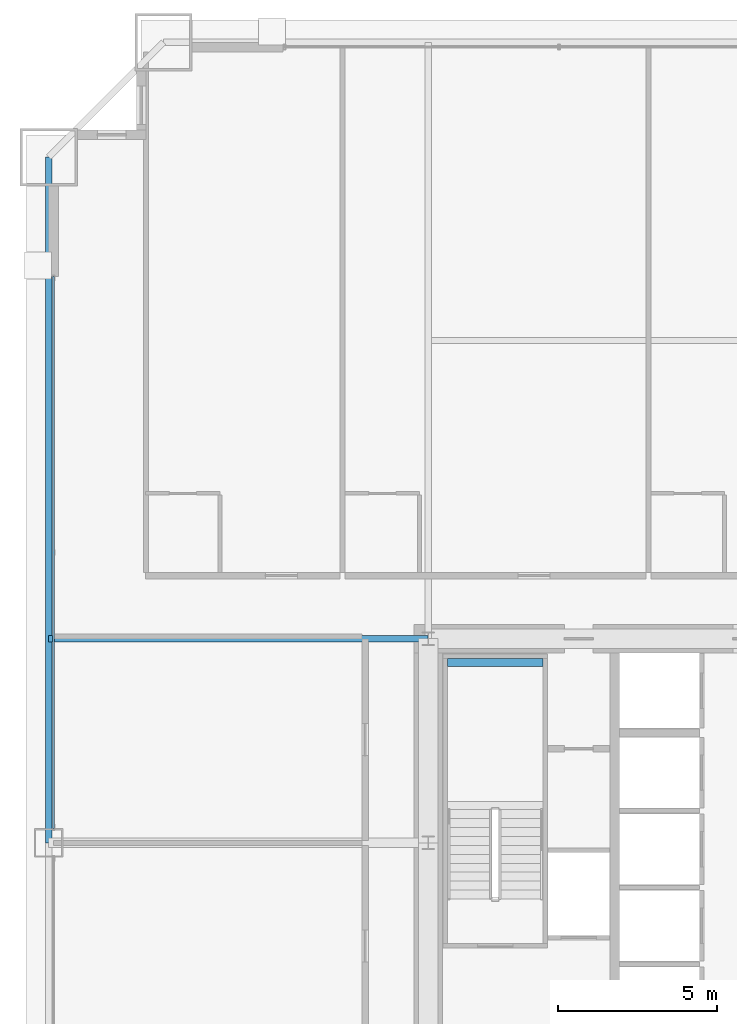
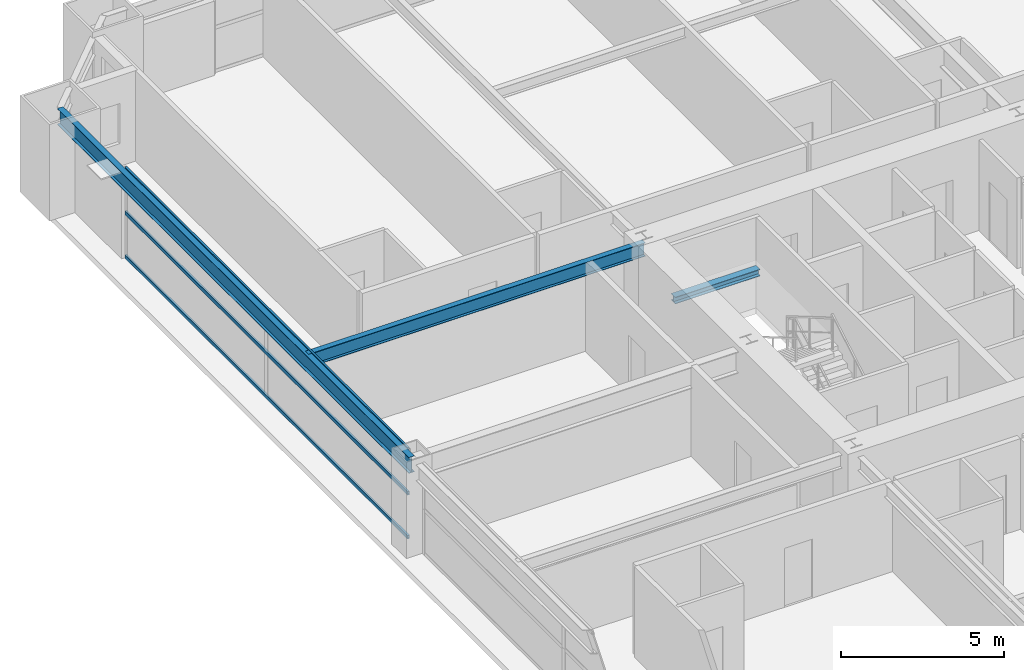
# One storey, part 22 of 43: 3 beams, 3 members, 1 element without a shape of its own.
"""IFC4 building model written with IfcOpenShell, lengths in metres."""

import ifcopenshell
import ifcopenshell.guid

model = None  # the IFC model being written
_history = None  # IfcOwnerHistory: only IFC2X3 demands one
_inside = {}  # id of a spatial element -> (the spatial element, [elements in it])
_under = {}  # id of a project, library or spatial element -> (it, [spatial elements below it])
_declared = {}  # id of a project -> (the project, [libraries it declares])
_typed = {}  # id of a type object -> (the type object, [elements of that type])
_made_of = {}  # id of a material, layer set ... -> (it, [elements and type objects made of it])


def new_model(schema):
    """Start an empty IFC model of exactly this schema.

    Asked for "IFC4X3", IfcOpenShell would pick the latest addendum, in which some entities
    have other attributes; the version numbers below select the first issue.
    IFC2X3 requires an IfcOwnerHistory on every rooted entity: one is made here for all.
    """
    global model, _history
    if schema == "IFC4X3":
        model = ifcopenshell.file(schema_version=(4, 3, 0, 0))
    else:
        model = ifcopenshell.file(schema=schema)
    _inside.clear()
    _under.clear()
    _declared.clear()
    _typed.clear()
    _made_of.clear()
    _history = None
    if model.schema == "IFC2X3":
        org = make("IfcOrganization", Name="unknown")
        user = make(
            "IfcPersonAndOrganization",
            ThePerson=make("IfcPerson", FamilyName="unknown"),
            TheOrganization=org,
        )
        app = make(
            "IfcApplication",
            ApplicationDeveloper=org,
            Version="unknown",
            ApplicationFullName="unknown",
            ApplicationIdentifier="unknown",
        )
        _history = make(
            "IfcOwnerHistory",
            OwningUser=user,
            OwningApplication=app,
            ChangeAction="ADDED",
            CreationDate=0,
        )
    return model


def make(cls, **values):
    """One entity of the class cls with the attributes given. An attribute that is None is left unset."""
    return model.create_entity(
        cls, **{name: value for name, value in values.items() if value is not None}
    )


def rooted(cls, **values):
    """An entity with a GlobalId (a new one), such as an element, a storey or a relation."""
    return make(cls, GlobalId=ifcopenshell.guid.new(), OwnerHistory=_history, **values)


def si_unit(unit_type, name, prefix=None):
    """IfcSIUnit, for example si_unit("LENGTHUNIT", "METRE", prefix="MILLI")."""
    return make("IfcSIUnit", UnitType=unit_type, Prefix=prefix, Name=name)


def assignment(units):
    """IfcUnitAssignment: the units of a project."""
    return None if units is None else make("IfcUnitAssignment", Units=units)


def point(xyz):
    """IfcCartesianPoint."""
    return None if xyz is None else make("IfcCartesianPoint", Coordinates=xyz)


def direction(xyz):
    """IfcDirection."""
    return None if xyz is None else make("IfcDirection", DirectionRatios=xyz)


def frame(location, z_axis=None, x_axis=None):
    """IfcAxis2Placement3D, a coordinate frame: its origin and axes. An axis left out is left unset."""
    return make(
        "IfcAxis2Placement3D",
        Location=point(location),
        Axis=direction(z_axis),
        RefDirection=direction(x_axis),
    )


def frame_2d(location, x_axis=None):
    """IfcAxis2Placement2D, a coordinate frame in the plane: its origin and x axis."""
    return make(
        "IfcAxis2Placement2D", Location=point(location), RefDirection=direction(x_axis)
    )


def origin():
    """The frame at (0, 0, 0) with its axes left unset."""
    return frame((0.0, 0.0, 0.0))


def origin_2d():
    """The frame at (0, 0) in the plane with its x axis left unset."""
    return frame_2d((0.0, 0.0))


def place(relative_to, where):
    """IfcLocalPlacement: puts the frame where relative to a parent placement (None: the world)."""
    return make(
        "IfcLocalPlacement", PlacementRelTo=relative_to, RelativePlacement=where
    )


def context(
    kind, dimensions, precision=None, world=None, true_north=None, identifier=None
):
    """IfcGeometricRepresentationContext, for example the 3D "Model" context."""
    return make(
        "IfcGeometricRepresentationContext",
        ContextIdentifier=identifier,
        ContextType=kind,
        CoordinateSpaceDimension=dimensions,
        Precision=precision,
        WorldCoordinateSystem=world,
        TrueNorth=true_north,
    )


def subcontext(parent, identifier, kind, view, scale=None):
    """IfcGeometricRepresentationSubContext, for example "Body" below "Model"."""
    return make(
        "IfcGeometricRepresentationSubContext",
        ContextIdentifier=identifier,
        ContextType=kind,
        ParentContext=parent,
        TargetScale=scale,
        TargetView=view,
    )


def project(units=None, contexts=None):
    """IfcProject with its units and contexts."""
    return rooted(
        "IfcProject",
        Name="project",
        RepresentationContexts=contexts,
        UnitsInContext=assignment(units),
    )


def spatial(cls, under=None, at=None, **own):
    """A site, building, storey or space (cls), placed at a placement, below another one or the project."""
    s = rooted(cls, ObjectPlacement=at, **own)
    if under is not None:
        _under.setdefault(under.id(), (under, []))[1].append(s)
    return s


def profile(cls, at=None, kind="AREA", **sizes):
    """A parametric profile (cls). Its sizes go by their IFC names, for example OverallWidth=200.0."""
    return make(cls, ProfileType=kind, Position=at, **sizes)


def hollow_rectangle(**sizes):
    """IfcRectangleHollowProfileDef."""
    return profile("IfcRectangleHollowProfileDef", **sizes)


def i_section(**sizes):
    """IfcIShapeProfileDef."""
    return profile("IfcIShapeProfileDef", **sizes)


def extrude(swept, where, along, depth):
    """IfcExtrudedAreaSolid: the profile swept, set in the frame where, extruded along a direction by depth."""
    return make(
        "IfcExtrudedAreaSolid",
        SweptArea=swept,
        Position=where,
        ExtrudedDirection=direction(along),
        Depth=depth,
    )


def shape(context_of_items, identifier, shape_type, items):
    """IfcShapeRepresentation: the items that make up one representation, for example the "Body"."""
    return make(
        "IfcShapeRepresentation",
        ContextOfItems=context_of_items,
        RepresentationIdentifier=identifier,
        RepresentationType=shape_type,
        Items=items,
    )


def source(mapping_origin, context_of_items, identifier, shape_type, items):
    """IfcRepresentationMap: a shape defined once, which mapped items show again and again."""
    return make(
        "IfcRepresentationMap",
        MappingOrigin=mapping_origin,
        MappedRepresentation=shape(context_of_items, identifier, shape_type, items),
    )


def transform(
    local_origin,
    x_axis=None,
    y_axis=None,
    z_axis=None,
    scale=None,
    scale2=None,
    scale3=None,
    uniform=True,
):
    """IfcCartesianTransformationOperator3D, or its non-uniform kind. x_axis, y_axis, z_axis: its Axis1, 2, 3."""
    if uniform:
        return make(
            "IfcCartesianTransformationOperator3D",
            Axis1=direction(x_axis),
            Axis2=direction(y_axis),
            LocalOrigin=point(local_origin),
            Scale=scale,
            Axis3=direction(z_axis),
        )
    return make(
        "IfcCartesianTransformationOperator3DnonUniform",
        Axis1=direction(x_axis),
        Axis2=direction(y_axis),
        LocalOrigin=point(local_origin),
        Scale=scale,
        Axis3=direction(z_axis),
        Scale2=scale2,
        Scale3=scale3,
    )


def mapped(mapping_source, mapping_target):
    """IfcMappedItem: shows the shape of a source again, moved by a transform."""
    return make(
        "IfcMappedItem", MappingSource=mapping_source, MappingTarget=mapping_target
    )


def material(Name=None, Category=None):
    """IfcMaterial."""
    return make("IfcMaterial", Name=Name, Category=Category)


def layer(
    of_material, thickness, ventilated=None, Name=None, Category=None, Priority=None
):
    """IfcMaterialLayer: one layer of a wall or slab, of a material (None: an air gap)."""
    return make(
        "IfcMaterialLayer",
        Material=of_material,
        LayerThickness=thickness,
        IsVentilated=ventilated,
        Name=Name,
        Category=Category,
        Priority=Priority,
    )


def layer_set(layers, Name=None):
    """IfcMaterialLayerSet."""
    return make("IfcMaterialLayerSet", MaterialLayers=layers, LayerSetName=Name)


def material_profile(
    of_material, cross_section, Name=None, Category=None, Priority=None
):
    """IfcMaterialProfile: a cross section and its material."""
    return make(
        "IfcMaterialProfile",
        Name=Name,
        Material=of_material,
        Profile=cross_section,
        Priority=Priority,
        Category=Category,
    )


def profile_set(profiles, Name=None, composite=None):
    """IfcMaterialProfileSet."""
    return make(
        "IfcMaterialProfileSet",
        Name=Name,
        MaterialProfiles=profiles,
        CompositeProfile=composite,
    )


def made_of(thing, what):
    """Note that an element or type object is made of a material, layer set ...; save() writes the relation."""
    if what is not None:
        _made_of.setdefault(what.id(), (what, []))[1].append(thing)
    return thing


def type_object(cls, material=None, **own):
    """A type object (cls), such as IfcWallType, which elements share."""
    return made_of(rooted(cls, **own), material)


def element(
    cls,
    number,
    at=None,
    inside=None,
    cuts=None,
    type_object=None,
    material=None,
    context=None,
    identifier="Body",
    shape_type=None,
    held_by="IfcProductDefinitionShape",
    body=None,
    shapes=None,
    **own,
):
    """One element of the class cls, such as IfcWall. Its Tag is "e" and its number.

    at: its placement. inside: the storey or other place that contains it. cuts: it is an
    opening in that element (IfcRelVoidsElement). A single representation is given by context,
    identifier, shape_type and body (its items); several are given by shapes. held_by: the class
    of the entity that holds the representations. save() writes the other relations.
    """
    e = rooted(cls, Tag="e%d" % number, ObjectPlacement=at, **own)
    if body is not None:
        shapes = [shape(context, identifier, shape_type, body)]
    if shapes is not None:
        e.Representation = make(held_by, Representations=shapes)
    if inside is not None:
        _inside.setdefault(inside.id(), (inside, []))[1].append(e)
    if cuts is not None:
        rooted(
            "IfcRelVoidsElement", RelatingBuildingElement=cuts, RelatedOpeningElement=e
        )
    if type_object is not None:
        _typed.setdefault(type_object.id(), (type_object, []))[1].append(e)
    return made_of(e, material)


def aggregate(whole, parts):
    """IfcRelAggregates: a whole, such as a stair, and the parts it consists of."""
    return rooted("IfcRelAggregates", RelatingObject=whole, RelatedObjects=parts)


def save(model, path):
    """Write the relations noted so far, then the file.

    IfcRelAggregates (storeys below a building ...), IfcRelContainedInSpatialStructure (elements
    in a storey), IfcRelDefinesByType, IfcRelAssociatesMaterial and IfcRelDeclares: one each for
    every whole, place, type object, material and project.
    """
    for whole, parts in _under.values():
        aggregate(whole, parts)
    for where, things in _inside.values():
        rooted(
            "IfcRelContainedInSpatialStructure",
            RelatedElements=things,
            RelatingStructure=where,
        )
    for kind, things in _typed.values():
        rooted("IfcRelDefinesByType", RelatedObjects=things, RelatingType=kind)
    for what, things in _made_of.values():
        rooted("IfcRelAssociatesMaterial", RelatedObjects=things, RelatingMaterial=what)
    for by, libraries in _declared.values():
        rooted("IfcRelDeclares", RelatingContext=by, RelatedDefinitions=libraries)
    model.write(path)


model = new_model("IFC4")

# Units and contexts
model_context = context("Model", 3, precision=1e-05, world=origin(), true_north=direction((0.0, 1.0)))
body_context = subcontext(model_context, "Body", "Model", "MODEL_VIEW")
ifc_project = project(units=[si_unit("LENGTHUNIT", "METRE"), si_unit("AREAUNIT", "SQUARE_METRE"), si_unit("VOLUMEUNIT", "CUBIC_METRE"), si_unit("PLANEANGLEUNIT", "RADIAN"), si_unit("MASSUNIT", "GRAM", prefix="KILO"), si_unit("THERMODYNAMICTEMPERATUREUNIT", "KELVIN"), si_unit("POWERUNIT", "WATT")], contexts=[model_context])

# Site, building, storey
site_placement = place(None, origin())
site = spatial("IfcSite", under=ifc_project, at=site_placement, CompositionType="ELEMENT")
building_placement = place(site_placement, origin())
building = spatial("IfcBuilding", under=site, at=building_placement, Name="Yuzanri Waterfront Tower", CompositionType="ELEMENT")
storey_placement = place(building_placement, frame((0.0, 0.0, 71.199951171875)))
storey = spatial("IfcBuildingStorey", under=building, at=storey_placement, Name="L18", CompositionType="ELEMENT", Elevation=71.199951171875)

# Beams
ifc_material_1 = material(Name="Steel Q355B", Category="steel")
ifc_material_profile_1 = material_profile(ifc_material_1, i_section(OverallWidth=0.199951171875, OverallDepth=0.60009765625, WebThickness=0.010986328125, FlangeThickness=0.01708984375, at=origin_2d()), Name="HN 600x200x11x17")
ifc_profile_set_1 = profile_set([ifc_material_profile_1], Name="Steel Q355B")
beam_type_1 = type_object("IfcBeamType", Name="Perimeter Spandrel Q355B HN 600x200", PredefinedType="SPANDREL", material=ifc_profile_set_1)
shared_shape_1 = source(origin(), body_context, "Body", "SweptSolid", [
    extrude(i_section(OverallWidth=0.199951171875, OverallDepth=0.60009765625, WebThickness=0.010986328125, FlangeThickness=0.01708984375, at=origin_2d()), origin(), (0.0, 0.0, 1.0), 21.5),
])
beam_1_placement = place(storey_placement, frame((11.89990234375, 47.300048828125, 3.080078125), z_axis=(0.0, -1.0, 0.0), x_axis=(1.0, 0.0, 0.0)))
element("IfcBeam", 1, at=beam_1_placement, inside=storey, type_object=beam_type_1, Name="L18 Perimeter Spandrel W3-W2", PredefinedType="SPANDREL", context=body_context, shape_type="MappedRepresentation", body=[
    mapped(shared_shape_1, transform((0.0, 0.0, 0.0), scale=1.0)),
])
ifc_material_2 = material(Name="Steel Q355B", Category="steel")
ifc_material_profile_2 = material_profile(ifc_material_2, i_section(OverallWidth=0.199951171875, OverallDepth=0.5, WebThickness=0.010009765625, FlangeThickness=0.01611328125, at=origin_2d()), Name="HN 500x200x10x16")
ifc_profile_set_2 = profile_set([ifc_material_profile_2], Name="Steel Q355B")
beam_type_2 = type_object("IfcBeamType", Name="Secondary Floor Beam Q355B HN 500x200", PredefinedType="BEAM", material=ifc_profile_set_2)
shared_shape_2 = source(origin(), body_context, "Body", "SweptSolid", [
    extrude(i_section(OverallWidth=0.199951171875, OverallDepth=0.5, WebThickness=0.010009765625, FlangeThickness=0.01611328125, at=origin_2d()), origin(), (0.0, 0.0, 1.0), 11.900146484375),
])
beam_2_placement = place(storey_placement, frame((23.800048828125, 32.199951171875, 3.130126953125), z_axis=(-1.0, 0.0, 0.0), x_axis=(0.0, -1.0, 0.0)))
element("IfcBeam", 2, at=beam_2_placement, inside=storey, type_object=beam_type_2, Name="L18 West-North Core Line Beam", PredefinedType="BEAM", context=body_context, shape_type="MappedRepresentation", body=[
    mapped(shared_shape_2, transform((0.0, 0.0, 0.0), scale=1.0)),
])

# Curtain wall, members
ifc_material_3 = material(Name="Anodized Architectural Bronze", Category="metal")
ifc_layer = layer(ifc_material_3, 0.159912109375)
ifc_layer_set = layer_set([ifc_layer], Name="Anodized Architectural Bronze")
curtain_wall_type = type_object("IfcCurtainWallType", Name="Anodized Bronze Hotel Lower-Tier Recessed Unitized Curtain Wall 8100", PredefinedType="NOTDEFINED", material=ifc_layer_set)
curtain_wall_placement = place(storey_placement, origin())
curtain_wall = element("IfcCurtainWall", 3, at=curtain_wall_placement, inside=storey, type_object=curtain_wall_type, Name="L18 Curtain Wall CW-L18-WR", PredefinedType="NOTDEFINED")
ifc_material_4 = material(Name="Anodized Architectural Bronze", Category="metal")
ifc_material_profile_3 = material_profile(ifc_material_4, hollow_rectangle(XDim=0.070068359375, YDim=0.135009765625, WallThickness=0.00341796875, at=origin_2d()), Name="CWT 70x135")
ifc_profile_set_3 = profile_set([ifc_material_profile_3], Name="Anodized Architectural Bronze")
member_type = type_object("IfcMemberType", Name="Anodized Bronze Standard Curtain-Wall Transom 70x135", PredefinedType="USERDEFINED", material=ifc_profile_set_3)
shared_shape_3 = source(origin(), body_context, "Body", "SweptSolid", [
    extrude(hollow_rectangle(XDim=0.070068359375, YDim=0.135009765625, WallThickness=0.00341796875, at=origin_2d()), origin(), (0.0, 0.0, 1.0), 17.300048828125),
])
member_1_placement = place(storey_placement, frame((12.050048828125, 26.25, 0.050048828125), z_axis=(0.0, 1.0, 0.0), x_axis=(-1.0, 0.0, 0.0)))
member_1 = element("IfcMember", 4, at=member_1_placement, type_object=member_type, Name="CW-L18-WR Transom 1", ObjectType="TRANSOM", PredefinedType="USERDEFINED", context=body_context, shape_type="MappedRepresentation", body=[
    mapped(shared_shape_3, transform((0.0, 0.0, 0.0), scale=1.0)),
])
member_2_placement = place(storey_placement, frame((12.050048828125, 26.25, 1.68994140625), z_axis=(0.0, 1.0, 0.0), x_axis=(-1.0, 0.0, 0.0)))
member_2 = element("IfcMember", 5, at=member_2_placement, type_object=member_type, Name="CW-L18-WR Transom 2", ObjectType="TRANSOM", PredefinedType="USERDEFINED", context=body_context, shape_type="MappedRepresentation", body=[
    mapped(shared_shape_3, transform((0.0, 0.0, 0.0), scale=1.0)),
])
member_3_placement = place(storey_placement, frame((12.050048828125, 26.25, 3.330078125), z_axis=(0.0, 1.0, 0.0), x_axis=(-1.0, 0.0, 0.0)))
member_3 = element("IfcMember", 6, at=member_3_placement, type_object=member_type, Name="CW-L18-WR Transom 3", ObjectType="TRANSOM", PredefinedType="USERDEFINED", context=body_context, shape_type="MappedRepresentation", body=[
    mapped(shared_shape_3, transform((0.0, 0.0, 0.0), scale=1.0)),
])
aggregate(curtain_wall, [member_1, member_2, member_3])

# Beam
ifc_material_5 = material(Name="Steel Q355B", Category="steel")
ifc_material_profile_4 = material_profile(ifc_material_5, i_section(OverallWidth=0.25, OverallDepth=0.25, WebThickness=0.009033203125, FlangeThickness=0.013916015625, at=origin_2d()), Name="HW 250x250x9x14")
ifc_profile_set_4 = profile_set([ifc_material_profile_4], Name="Steel Q355B")
beam_type_3 = type_object("IfcBeamType", Name="Stair Landing Support Beam Q355B HW 250x250", PredefinedType="BEAM", material=ifc_profile_set_4)
shared_shape_4 = source(origin(), body_context, "Body", "SweptSolid", [
    extrude(i_section(OverallWidth=0.25, OverallDepth=0.25, WebThickness=0.009033203125, FlangeThickness=0.013916015625, at=origin_2d()), origin(), (0.0, 0.0, 1.0), 3.0),
])
beam_3_placement = place(storey_placement, frame((24.39990234375, 31.449951171875, 1.47509765625), z_axis=(1.0, 0.0, 0.0), x_axis=(0.0, 1.0, 0.0)))
element("IfcBeam", 7, at=beam_3_placement, inside=storey, type_object=beam_type_3, Name="L18 Stair Landing Support Beam ST-01-L18-L1-2", PredefinedType="BEAM", context=body_context, shape_type="MappedRepresentation", body=[
    mapped(shared_shape_4, transform((0.0, 0.0, 0.0), scale=1.0)),
])

save(model, "model.ifc")
